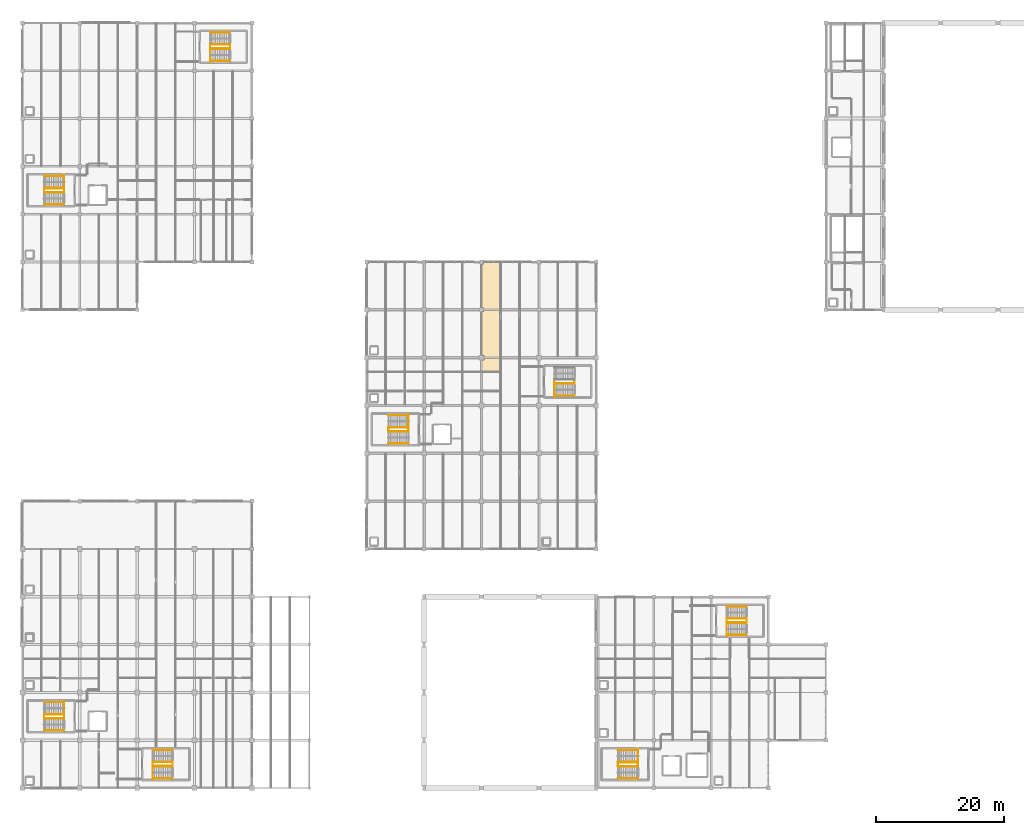
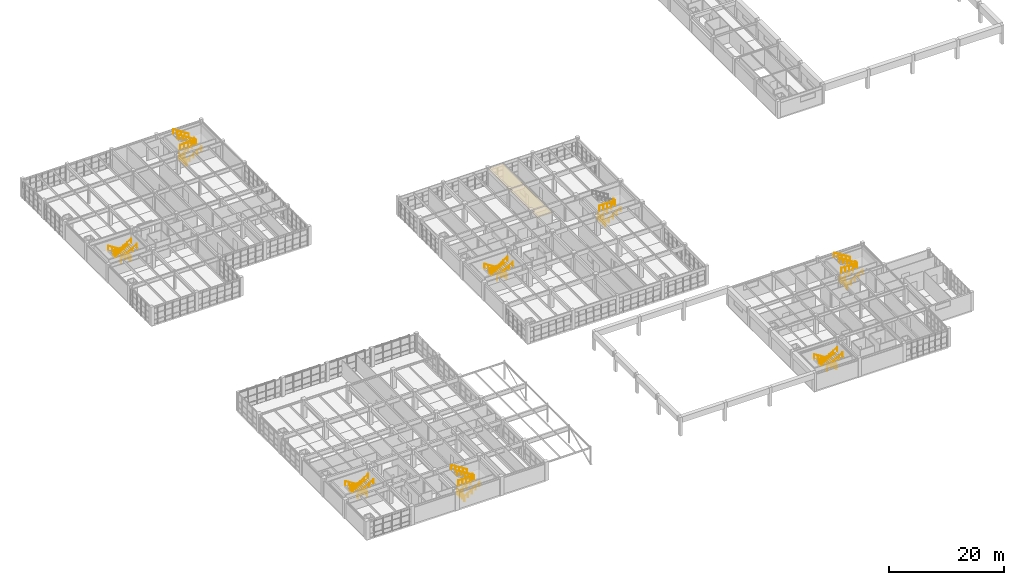
# One storey, part 75 of 76: 46 railings, 1 covering.
"""IFC4 building model written with IfcOpenShell, lengths in metres."""

import ifcopenshell
import ifcopenshell.guid

model = None  # the IFC model being written
_history = None  # IfcOwnerHistory: only IFC2X3 demands one
_inside = {}  # id of a spatial element -> (the spatial element, [elements in it])
_under = {}  # id of a project, library or spatial element -> (it, [spatial elements below it])
_declared = {}  # id of a project -> (the project, [libraries it declares])
_typed = {}  # id of a type object -> (the type object, [elements of that type])
_made_of = {}  # id of a material, layer set ... -> (it, [elements and type objects made of it])


def new_model(schema):
    """Start an empty IFC model of exactly this schema.

    Asked for "IFC4X3", IfcOpenShell would pick the latest addendum, in which some entities
    have other attributes; the version numbers below select the first issue.
    IFC2X3 requires an IfcOwnerHistory on every rooted entity: one is made here for all.
    """
    global model, _history
    if schema == "IFC4X3":
        model = ifcopenshell.file(schema_version=(4, 3, 0, 0))
    else:
        model = ifcopenshell.file(schema=schema)
    _inside.clear()
    _under.clear()
    _declared.clear()
    _typed.clear()
    _made_of.clear()
    _history = None
    if model.schema == "IFC2X3":
        org = make("IfcOrganization", Name="unknown")
        user = make(
            "IfcPersonAndOrganization",
            ThePerson=make("IfcPerson", FamilyName="unknown"),
            TheOrganization=org,
        )
        app = make(
            "IfcApplication",
            ApplicationDeveloper=org,
            Version="unknown",
            ApplicationFullName="unknown",
            ApplicationIdentifier="unknown",
        )
        _history = make(
            "IfcOwnerHistory",
            OwningUser=user,
            OwningApplication=app,
            ChangeAction="ADDED",
            CreationDate=0,
        )
    return model


def make(cls, **values):
    """One entity of the class cls with the attributes given. An attribute that is None is left unset."""
    return model.create_entity(
        cls, **{name: value for name, value in values.items() if value is not None}
    )


def rooted(cls, **values):
    """An entity with a GlobalId (a new one), such as an element, a storey or a relation."""
    return make(cls, GlobalId=ifcopenshell.guid.new(), OwnerHistory=_history, **values)


def si_unit(unit_type, name, prefix=None):
    """IfcSIUnit, for example si_unit("LENGTHUNIT", "METRE", prefix="MILLI")."""
    return make("IfcSIUnit", UnitType=unit_type, Prefix=prefix, Name=name)


def assignment(units):
    """IfcUnitAssignment: the units of a project."""
    return None if units is None else make("IfcUnitAssignment", Units=units)


def point(xyz):
    """IfcCartesianPoint."""
    return None if xyz is None else make("IfcCartesianPoint", Coordinates=xyz)


def direction(xyz):
    """IfcDirection."""
    return None if xyz is None else make("IfcDirection", DirectionRatios=xyz)


def frame(location, z_axis=None, x_axis=None):
    """IfcAxis2Placement3D, a coordinate frame: its origin and axes. An axis left out is left unset."""
    return make(
        "IfcAxis2Placement3D",
        Location=point(location),
        Axis=direction(z_axis),
        RefDirection=direction(x_axis),
    )


def frame_2d(location, x_axis=None):
    """IfcAxis2Placement2D, a coordinate frame in the plane: its origin and x axis."""
    return make(
        "IfcAxis2Placement2D", Location=point(location), RefDirection=direction(x_axis)
    )


def origin():
    """The frame at (0, 0, 0) with its axes left unset."""
    return frame((0.0, 0.0, 0.0))


def origin_2d():
    """The frame at (0, 0) in the plane with its x axis left unset."""
    return frame_2d((0.0, 0.0))


def place(relative_to, where):
    """IfcLocalPlacement: puts the frame where relative to a parent placement (None: the world)."""
    return make(
        "IfcLocalPlacement", PlacementRelTo=relative_to, RelativePlacement=where
    )


def context(
    kind, dimensions, precision=None, world=None, true_north=None, identifier=None
):
    """IfcGeometricRepresentationContext, for example the 3D "Model" context."""
    return make(
        "IfcGeometricRepresentationContext",
        ContextIdentifier=identifier,
        ContextType=kind,
        CoordinateSpaceDimension=dimensions,
        Precision=precision,
        WorldCoordinateSystem=world,
        TrueNorth=true_north,
    )


def subcontext(parent, identifier, kind, view, scale=None):
    """IfcGeometricRepresentationSubContext, for example "Body" below "Model"."""
    return make(
        "IfcGeometricRepresentationSubContext",
        ContextIdentifier=identifier,
        ContextType=kind,
        ParentContext=parent,
        TargetScale=scale,
        TargetView=view,
    )


def project(units=None, contexts=None):
    """IfcProject with its units and contexts."""
    return rooted(
        "IfcProject",
        Name="project",
        RepresentationContexts=contexts,
        UnitsInContext=assignment(units),
    )


def spatial(cls, under=None, at=None, **own):
    """A site, building, storey or space (cls), placed at a placement, below another one or the project."""
    s = rooted(cls, ObjectPlacement=at, **own)
    if under is not None:
        _under.setdefault(under.id(), (under, []))[1].append(s)
    return s


def polyline(points):
    """IfcPolyline through the points."""
    return make("IfcPolyline", Points=[point(p) for p in points])


def profile(cls, at=None, kind="AREA", **sizes):
    """A parametric profile (cls). Its sizes go by their IFC names, for example OverallWidth=200.0."""
    return make(cls, ProfileType=kind, Position=at, **sizes)


def circle(**sizes):
    """IfcCircleProfileDef."""
    return profile("IfcCircleProfileDef", **sizes)


def outline(outer, holes=None, kind="AREA"):
    """IfcArbitraryClosedProfileDef: a profile drawn as a closed curve; with holes, ...WithVoids."""
    if holes is None:
        return make("IfcArbitraryClosedProfileDef", ProfileType=kind, OuterCurve=outer)
    return make(
        "IfcArbitraryProfileDefWithVoids",
        ProfileType=kind,
        OuterCurve=outer,
        InnerCurves=holes,
    )


def extrude(swept, where, along, depth):
    """IfcExtrudedAreaSolid: the profile swept, set in the frame where, extruded along a direction by depth."""
    return make(
        "IfcExtrudedAreaSolid",
        SweptArea=swept,
        Position=where,
        ExtrudedDirection=direction(along),
        Depth=depth,
    )


def shape(context_of_items, identifier, shape_type, items):
    """IfcShapeRepresentation: the items that make up one representation, for example the "Body"."""
    return make(
        "IfcShapeRepresentation",
        ContextOfItems=context_of_items,
        RepresentationIdentifier=identifier,
        RepresentationType=shape_type,
        Items=items,
    )


def material(Name=None, Category=None):
    """IfcMaterial."""
    return make("IfcMaterial", Name=Name, Category=Category)


def layer(
    of_material, thickness, ventilated=None, Name=None, Category=None, Priority=None
):
    """IfcMaterialLayer: one layer of a wall or slab, of a material (None: an air gap)."""
    return make(
        "IfcMaterialLayer",
        Material=of_material,
        LayerThickness=thickness,
        IsVentilated=ventilated,
        Name=Name,
        Category=Category,
        Priority=Priority,
    )


def layer_set(layers, Name=None):
    """IfcMaterialLayerSet."""
    return make("IfcMaterialLayerSet", MaterialLayers=layers, LayerSetName=Name)


def made_of(thing, what):
    """Note that an element or type object is made of a material, layer set ...; save() writes the relation."""
    if what is not None:
        _made_of.setdefault(what.id(), (what, []))[1].append(thing)
    return thing


def type_object(cls, material=None, **own):
    """A type object (cls), such as IfcWallType, which elements share."""
    return made_of(rooted(cls, **own), material)


def element(
    cls,
    number,
    at=None,
    inside=None,
    cuts=None,
    type_object=None,
    material=None,
    context=None,
    identifier="Body",
    shape_type=None,
    held_by="IfcProductDefinitionShape",
    body=None,
    shapes=None,
    **own,
):
    """One element of the class cls, such as IfcWall. Its Tag is "e" and its number.

    at: its placement. inside: the storey or other place that contains it. cuts: it is an
    opening in that element (IfcRelVoidsElement). A single representation is given by context,
    identifier, shape_type and body (its items); several are given by shapes. held_by: the class
    of the entity that holds the representations. save() writes the other relations.
    """
    e = rooted(cls, Tag="e%d" % number, ObjectPlacement=at, **own)
    if body is not None:
        shapes = [shape(context, identifier, shape_type, body)]
    if shapes is not None:
        e.Representation = make(held_by, Representations=shapes)
    if inside is not None:
        _inside.setdefault(inside.id(), (inside, []))[1].append(e)
    if cuts is not None:
        rooted(
            "IfcRelVoidsElement", RelatingBuildingElement=cuts, RelatedOpeningElement=e
        )
    if type_object is not None:
        _typed.setdefault(type_object.id(), (type_object, []))[1].append(e)
    return made_of(e, material)


def aggregate(whole, parts):
    """IfcRelAggregates: a whole, such as a stair, and the parts it consists of."""
    return rooted("IfcRelAggregates", RelatingObject=whole, RelatedObjects=parts)


def save(model, path):
    """Write the relations noted so far, then the file.

    IfcRelAggregates (storeys below a building ...), IfcRelContainedInSpatialStructure (elements
    in a storey), IfcRelDefinesByType, IfcRelAssociatesMaterial and IfcRelDeclares: one each for
    every whole, place, type object, material and project.
    """
    for whole, parts in _under.values():
        aggregate(whole, parts)
    for where, things in _inside.values():
        rooted(
            "IfcRelContainedInSpatialStructure",
            RelatedElements=things,
            RelatingStructure=where,
        )
    for kind, things in _typed.values():
        rooted("IfcRelDefinesByType", RelatedObjects=things, RelatingType=kind)
    for what, things in _made_of.values():
        rooted("IfcRelAssociatesMaterial", RelatedObjects=things, RelatingMaterial=what)
    for by, libraries in _declared.values():
        rooted("IfcRelDeclares", RelatingContext=by, RelatedDefinitions=libraries)
    model.write(path)


model = new_model("IFC4")

# Units and contexts
model_context = context("Model", 3, precision=1e-05, world=origin(), true_north=direction((0.0, 1.0)))
body_context = subcontext(model_context, "Body", "Model", "MODEL_VIEW")
ifc_project = project(units=[si_unit("LENGTHUNIT", "METRE"), si_unit("AREAUNIT", "SQUARE_METRE"), si_unit("VOLUMEUNIT", "CUBIC_METRE"), si_unit("PLANEANGLEUNIT", "RADIAN"), si_unit("MASSUNIT", "GRAM", prefix="KILO")], contexts=[model_context])

# Site, building, storey
site_placement = place(None, origin())
site = spatial("IfcSite", under=ifc_project, at=site_placement, CompositionType="ELEMENT")
building_placement = place(site_placement, origin())
building = spatial("IfcBuilding", under=site, at=building_placement, Name="Marnridge Secondary College", CompositionType="ELEMENT")
storey_placement = place(building_placement, frame((0.0, 0.0, 4.5)))
storey = spatial("IfcBuildingStorey", under=building, at=storey_placement, Name="L01", CompositionType="ELEMENT", Elevation=4.5)

# Covering
ifc_material_1 = material(Name="Perforated acoustic mineral-fibre ceiling tile", Category="gypsum")
ifc_layer = layer(ifc_material_1, 0.02490234375)
ifc_layer_set = layer_set([ifc_layer], Name="CV-CEIL-AC")
covering_type = type_object("IfcCoveringType", Name="CV-CEIL-AC", PredefinedType="CEILING", material=ifc_layer_set)
covering_placement = place(storey_placement, frame((0.0, 0.0, 3.449951171875)))
element("IfcCovering", 1, at=covering_placement, inside=storey, type_object=covering_type, Name="Acoustic ceiling CVC-002", PredefinedType="CEILING", context=body_context, shape_type="SweptSolid", body=[
    extrude(outline(polyline([(72.375, 67.125), (72.375, 67.875), (72.001953125, 67.875), (72.001953125, 74.699951171875), (72.300048828125, 74.699951171875), (72.300048828125, 75.300048828125), (72.001953125, 75.300048828125), (72.001953125, 82.199951171875), (72.300048828125, 82.199951171875), (72.300048828125, 82.498046875), (74.998046875, 82.498046875), (74.998046875, 65.251953125), (72.001953125, 65.251953125), (72.001953125, 67.125), (72.375, 67.125)])), origin(), (0.0, 0.0, 1.0), 0.025146484375),
])

# Railings
ifc_material_2 = material(Name="Stainless steel Grade 350 (350 MPa) 48 mm handrail", Category="steel")
railing_type_1 = type_object("IfcRailingType", Name="RL-HND-900", PredefinedType="HANDRAIL", material=ifc_material_2)
for number, where, name in (
    (2, (60.550048828125, 56.590087890625, 0.0), "Stair handrail HR-007"),
    (3, (60.550048828125, 58.469970703125, 0.0), "Stair handrail HR-008"),
):
    element("IfcRailing", number, at=place(storey_placement, frame(where)), inside=storey, type_object=railing_type_1, Name=name, PredefinedType="HANDRAIL", context=body_context, shape_type="SweptSolid", body=[
        extrude(circle(Radius=0.02392578125, at=origin_2d()), frame((0.0, 0.0, 0.8759765625), z_axis=(-0.843052688722, 0.0, 0.537830980921), x_axis=(0.0, -1.0, 0.0)), (0.0, 0.0, 1.0), 3.71875),
        extrude(circle(Radius=0.02099609375, at=origin_2d()), origin(), (0.0, 0.0, 1.0), 0.851806640625),
        extrude(circle(Radius=0.02099609375, at=origin_2d()), frame((-0.78369140625, 0.0, 0.5)), (0.0, 0.0, 1.0), 0.851806640625),
        extrude(circle(Radius=0.02099609375, at=origin_2d()), frame((-1.5673828125, 0.0, 1.0)), (0.0, 0.0, 1.0), 0.851806640625),
        extrude(circle(Radius=0.02099609375, at=origin_2d()), frame((-2.351318359375, 0.0, 1.5)), (0.0, 0.0, 1.0), 0.851806640625),
        extrude(circle(Radius=0.02099609375, at=origin_2d()), frame((-3.135009765625, 0.0, 2.0)), (0.0, 0.0, 1.0), 0.851806640625),
    ])
for number, where, name in (
    (4, (57.4150390625, 54.030029296875, 2.0), "Stair handrail HR-009"),
    (5, (57.4150390625, 55.909912109375, 2.0), "Stair handrail HR-010"),
    (6, (83.449951171875, 61.530029296875, 0.0), "Stair handrail HR-037"),
    (7, (83.449951171875, 63.409912109375, 0.0), "Stair handrail HR-038"),
):
    element("IfcRailing", number, at=place(storey_placement, frame(where)), inside=storey, type_object=railing_type_1, Name=name, PredefinedType="HANDRAIL", context=body_context, shape_type="SweptSolid", body=[
        extrude(circle(Radius=0.02392578125, at=origin_2d()), frame((0.0, 0.0, 0.8759765625), z_axis=(0.843052688722, 0.0, 0.537830980921), x_axis=(0.0, 1.0, 0.0)), (0.0, 0.0, 1.0), 3.71875),
        extrude(circle(Radius=0.02099609375, at=origin_2d()), origin(), (0.0, 0.0, 1.0), 0.851806640625),
        extrude(circle(Radius=0.02099609375, at=origin_2d()), frame((0.78369140625, 0.0, 0.5)), (0.0, 0.0, 1.0), 0.851806640625),
        extrude(circle(Radius=0.02099609375, at=origin_2d()), frame((1.5673828125, 0.0, 1.0)), (0.0, 0.0, 1.0), 0.851806640625),
        extrude(circle(Radius=0.02099609375, at=origin_2d()), frame((2.351318359375, 0.0, 1.5)), (0.0, 0.0, 1.0), 0.851806640625),
        extrude(circle(Radius=0.02099609375, at=origin_2d()), frame((3.135009765625, 0.0, 2.0)), (0.0, 0.0, 1.0), 0.851806640625),
    ])
for number, where, name in (
    (8, (6.550048828125, 11.590087890625, 0.0), "Stair handrail HR-067"),
    (9, (6.550048828125, 13.469970703125, 0.0), "Stair handrail HR-068"),
):
    element("IfcRailing", number, at=place(storey_placement, frame(where)), inside=storey, type_object=railing_type_1, Name=name, PredefinedType="HANDRAIL", context=body_context, shape_type="SweptSolid", body=[
        extrude(circle(Radius=0.02392578125, at=origin_2d()), frame((0.0, 0.0, 0.8759765625), z_axis=(-0.843052688722, 0.0, 0.537830980921), x_axis=(0.0, -1.0, 0.0)), (0.0, 0.0, 1.0), 3.71875),
        extrude(circle(Radius=0.02099609375, at=origin_2d()), origin(), (0.0, 0.0, 1.0), 0.851806640625),
        extrude(circle(Radius=0.02099609375, at=origin_2d()), frame((-0.78369140625, 0.0, 0.5)), (0.0, 0.0, 1.0), 0.851806640625),
        extrude(circle(Radius=0.02099609375, at=origin_2d()), frame((-1.5673828125, 0.0, 1.0)), (0.0, 0.0, 1.0), 0.851806640625),
        extrude(circle(Radius=0.02099609375, at=origin_2d()), frame((-2.351318359375, 0.0, 1.5)), (0.0, 0.0, 1.0), 0.851806640625),
        extrude(circle(Radius=0.02099609375, at=origin_2d()), frame((-3.135009765625, 0.0, 2.0)), (0.0, 0.0, 1.0), 0.851806640625),
    ])
for number, where, name in (
    (10, (3.4150390625, 9.030029296875, 2.0), "Stair handrail HR-069"),
    (11, (3.4150390625, 10.909912109375, 2.0), "Stair handrail HR-070"),
    (12, (20.449951171875, 1.530029296875, 0.0), "Stair handrail HR-091"),
    (13, (20.449951171875, 3.409912109375, 0.0), "Stair handrail HR-092"),
):
    element("IfcRailing", number, at=place(storey_placement, frame(where)), inside=storey, type_object=railing_type_1, Name=name, PredefinedType="HANDRAIL", context=body_context, shape_type="SweptSolid", body=[
        extrude(circle(Radius=0.02392578125, at=origin_2d()), frame((0.0, 0.0, 0.8759765625), z_axis=(0.843052688722, 0.0, 0.537830980921), x_axis=(0.0, 1.0, 0.0)), (0.0, 0.0, 1.0), 3.71875),
        extrude(circle(Radius=0.02099609375, at=origin_2d()), origin(), (0.0, 0.0, 1.0), 0.851806640625),
        extrude(circle(Radius=0.02099609375, at=origin_2d()), frame((0.78369140625, 0.0, 0.5)), (0.0, 0.0, 1.0), 0.851806640625),
        extrude(circle(Radius=0.02099609375, at=origin_2d()), frame((1.5673828125, 0.0, 1.0)), (0.0, 0.0, 1.0), 0.851806640625),
        extrude(circle(Radius=0.02099609375, at=origin_2d()), frame((2.351318359375, 0.0, 1.5)), (0.0, 0.0, 1.0), 0.851806640625),
        extrude(circle(Radius=0.02099609375, at=origin_2d()), frame((3.135009765625, 0.0, 2.0)), (0.0, 0.0, 1.0), 0.851806640625),
    ])
for number, where, name in (
    (14, (23.5849609375, 4.090087890625, 2.0), "Stair handrail HR-093"),
    (15, (23.5849609375, 5.969970703125, 2.0), "Stair handrail HR-094"),
    (16, (6.550048828125, 94.090087890625, 0.0), "Stair handrail HR-115"),
    (17, (6.550048828125, 95.969970703125, 0.0), "Stair handrail HR-116"),
):
    element("IfcRailing", number, at=place(storey_placement, frame(where)), inside=storey, type_object=railing_type_1, Name=name, PredefinedType="HANDRAIL", context=body_context, shape_type="SweptSolid", body=[
        extrude(circle(Radius=0.02392578125, at=origin_2d()), frame((0.0, 0.0, 0.8759765625), z_axis=(-0.843052688722, 0.0, 0.537830980921), x_axis=(0.0, -1.0, 0.0)), (0.0, 0.0, 1.0), 3.71875),
        extrude(circle(Radius=0.02099609375, at=origin_2d()), origin(), (0.0, 0.0, 1.0), 0.851806640625),
        extrude(circle(Radius=0.02099609375, at=origin_2d()), frame((-0.78369140625, 0.0, 0.5)), (0.0, 0.0, 1.0), 0.851806640625),
        extrude(circle(Radius=0.02099609375, at=origin_2d()), frame((-1.5673828125, 0.0, 1.0)), (0.0, 0.0, 1.0), 0.851806640625),
        extrude(circle(Radius=0.02099609375, at=origin_2d()), frame((-2.351318359375, 0.0, 1.5)), (0.0, 0.0, 1.0), 0.851806640625),
        extrude(circle(Radius=0.02099609375, at=origin_2d()), frame((-3.135009765625, 0.0, 2.0)), (0.0, 0.0, 1.0), 0.851806640625),
    ])
for number, where, name in (
    (18, (3.4150390625, 91.530029296875, 2.0), "Stair handrail HR-117"),
    (19, (3.4150390625, 93.409912109375, 2.0), "Stair handrail HR-118"),
    (20, (29.449951171875, 114.030029296875, 0.0), "Stair handrail HR-133"),
    (21, (29.449951171875, 115.909912109375, 0.0), "Stair handrail HR-134"),
):
    element("IfcRailing", number, at=place(storey_placement, frame(where)), inside=storey, type_object=railing_type_1, Name=name, PredefinedType="HANDRAIL", context=body_context, shape_type="SweptSolid", body=[
        extrude(circle(Radius=0.02392578125, at=origin_2d()), frame((0.0, 0.0, 0.8759765625), z_axis=(0.843052688722, 0.0, 0.537830980921), x_axis=(0.0, 1.0, 0.0)), (0.0, 0.0, 1.0), 3.71875),
        extrude(circle(Radius=0.02099609375, at=origin_2d()), origin(), (0.0, 0.0, 1.0), 0.851806640625),
        extrude(circle(Radius=0.02099609375, at=origin_2d()), frame((0.78369140625, 0.0, 0.5)), (0.0, 0.0, 1.0), 0.851806640625),
        extrude(circle(Radius=0.02099609375, at=origin_2d()), frame((1.5673828125, 0.0, 1.0)), (0.0, 0.0, 1.0), 0.851806640625),
        extrude(circle(Radius=0.02099609375, at=origin_2d()), frame((2.351318359375, 0.0, 1.5)), (0.0, 0.0, 1.0), 0.851806640625),
        extrude(circle(Radius=0.02099609375, at=origin_2d()), frame((3.135009765625, 0.0, 2.0)), (0.0, 0.0, 1.0), 0.851806640625),
    ])
for number, where, name in (
    (22, (32.5849609375, 116.590087890625, 2.0), "Stair handrail HR-135"),
    (23, (32.5849609375, 118.469970703125, 2.0), "Stair handrail HR-136"),
    (24, (96.550048828125, 4.090087890625, 0.0), "Stair handrail HR-151"),
    (25, (96.550048828125, 5.969970703125, 0.0), "Stair handrail HR-152"),
):
    element("IfcRailing", number, at=place(storey_placement, frame(where)), inside=storey, type_object=railing_type_1, Name=name, PredefinedType="HANDRAIL", context=body_context, shape_type="SweptSolid", body=[
        extrude(circle(Radius=0.02392578125, at=origin_2d()), frame((0.0, 0.0, 0.8759765625), z_axis=(-0.843052688722, 0.0, 0.537830980921), x_axis=(0.0, -1.0, 0.0)), (0.0, 0.0, 1.0), 3.71875),
        extrude(circle(Radius=0.02099609375, at=origin_2d()), origin(), (0.0, 0.0, 1.0), 0.851806640625),
        extrude(circle(Radius=0.02099609375, at=origin_2d()), frame((-0.78369140625, 0.0, 0.5)), (0.0, 0.0, 1.0), 0.851806640625),
        extrude(circle(Radius=0.02099609375, at=origin_2d()), frame((-1.5673828125, 0.0, 1.0)), (0.0, 0.0, 1.0), 0.851806640625),
        extrude(circle(Radius=0.02099609375, at=origin_2d()), frame((-2.351318359375, 0.0, 1.5)), (0.0, 0.0, 1.0), 0.851806640625),
        extrude(circle(Radius=0.02099609375, at=origin_2d()), frame((-3.135009765625, 0.0, 2.0)), (0.0, 0.0, 1.0), 0.851806640625),
    ])
for number, where, name in (
    (26, (93.4150390625, 1.530029296875, 2.0), "Stair handrail HR-153"),
    (27, (93.4150390625, 3.409912109375, 2.0), "Stair handrail HR-154"),
    (28, (110.449951171875, 24.030029296875, 0.0), "Stair handrail HR-163"),
    (29, (110.449951171875, 25.909912109375, 0.0), "Stair handrail HR-164"),
):
    element("IfcRailing", number, at=place(storey_placement, frame(where)), inside=storey, type_object=railing_type_1, Name=name, PredefinedType="HANDRAIL", context=body_context, shape_type="SweptSolid", body=[
        extrude(circle(Radius=0.02392578125, at=origin_2d()), frame((0.0, 0.0, 0.8759765625), z_axis=(0.843052688722, 0.0, 0.537830980921), x_axis=(0.0, 1.0, 0.0)), (0.0, 0.0, 1.0), 3.71875),
        extrude(circle(Radius=0.02099609375, at=origin_2d()), origin(), (0.0, 0.0, 1.0), 0.851806640625),
        extrude(circle(Radius=0.02099609375, at=origin_2d()), frame((0.78369140625, 0.0, 0.5)), (0.0, 0.0, 1.0), 0.851806640625),
        extrude(circle(Radius=0.02099609375, at=origin_2d()), frame((1.5673828125, 0.0, 1.0)), (0.0, 0.0, 1.0), 0.851806640625),
        extrude(circle(Radius=0.02099609375, at=origin_2d()), frame((2.351318359375, 0.0, 1.5)), (0.0, 0.0, 1.0), 0.851806640625),
        extrude(circle(Radius=0.02099609375, at=origin_2d()), frame((3.135009765625, 0.0, 2.0)), (0.0, 0.0, 1.0), 0.851806640625),
    ])
for number, where, name in (
    (30, (113.5849609375, 26.590087890625, 2.0), "Stair handrail HR-165"),
    (31, (113.5849609375, 28.469970703125, 2.0), "Stair handrail HR-166"),
):
    element("IfcRailing", number, at=place(storey_placement, frame(where)), inside=storey, type_object=railing_type_1, Name=name, PredefinedType="HANDRAIL", context=body_context, shape_type="SweptSolid", body=[
        extrude(circle(Radius=0.02392578125, at=origin_2d()), frame((0.0, 0.0, 0.8759765625), z_axis=(-0.843052688722, 0.0, 0.537830980921), x_axis=(0.0, -1.0, 0.0)), (0.0, 0.0, 1.0), 3.71875),
        extrude(circle(Radius=0.02099609375, at=origin_2d()), origin(), (0.0, 0.0, 1.0), 0.851806640625),
        extrude(circle(Radius=0.02099609375, at=origin_2d()), frame((-0.78369140625, 0.0, 0.5)), (0.0, 0.0, 1.0), 0.851806640625),
        extrude(circle(Radius=0.02099609375, at=origin_2d()), frame((-1.5673828125, 0.0, 1.0)), (0.0, 0.0, 1.0), 0.851806640625),
        extrude(circle(Radius=0.02099609375, at=origin_2d()), frame((-2.351318359375, 0.0, 1.5)), (0.0, 0.0, 1.0), 0.851806640625),
        extrude(circle(Radius=0.02099609375, at=origin_2d()), frame((-3.135009765625, 0.0, 2.0)), (0.0, 0.0, 1.0), 0.851806640625),
    ])
ifc_material_3 = material(Name="Painted steel Grade C350L0 (350 MPa) stair-well guard", Category="steel")
railing_type_2 = type_object("IfcRailingType", Name="RL-STAIR-1150", PredefinedType="BALUSTRADE", material=ifc_material_3)
railing_1_placement = place(storey_placement, frame((60.550048828125, 58.6298828125, 0.0)))
element("IfcRailing", 32, at=railing_1_placement, inside=storey, type_object=railing_type_2, Name="Stair well arrival guard GS-006", PredefinedType="BALUSTRADE", context=body_context, shape_type="SweptSolid", body=[
    extrude(circle(Radius=0.02392578125, at=origin_2d()), frame((0.0, 0.0, 1.1259765625), z_axis=(0.0, -1.0, 0.0), x_axis=(1.0, 0.0, 0.0)), (0.0, 0.0, 1.0), 2.4599609375),
    extrude(circle(Radius=0.02099609375, at=origin_2d()), origin(), (0.0, 0.0, 1.0), 1.101806640625),
    extrude(circle(Radius=0.02099609375, at=origin_2d()), frame((0.0, -0.820068359375, 0.0)), (0.0, 0.0, 1.0), 1.101806640625),
    extrude(circle(Radius=0.02099609375, at=origin_2d()), frame((0.0, -1.639892578125, 0.0)), (0.0, 0.0, 1.0), 1.101806640625),
    extrude(circle(Radius=0.02099609375, at=origin_2d()), frame((0.0, -2.4599609375, 0.0)), (0.0, 0.0, 1.0), 1.101806640625),
])
railing_2_placement = place(storey_placement, frame((60.550048828125, 56.530029296875, 2.0)))
element("IfcRailing", 33, at=railing_2_placement, inside=storey, type_object=railing_type_2, Name="Stair well slot guard GS-011", PredefinedType="BALUSTRADE", context=body_context, shape_type="SweptSolid", body=[
    extrude(circle(Radius=0.02392578125, at=origin_2d()), frame((0.0, 0.0, 1.1259765625), z_axis=(-1.0, 0.0, 0.0), x_axis=(0.0, -1.0, 0.0)), (0.0, 0.0, 1.0), 3.135009765625),
    extrude(circle(Radius=0.02392578125, at=origin_2d()), frame((-3.135009765625, 0.0, 1.1259765625), z_axis=(0.0, -1.0, 0.0), x_axis=(1.0, 0.0, 0.0)), (0.0, 0.0, 1.0), 0.56005859375),
    extrude(circle(Radius=0.02099609375, at=origin_2d()), origin(), (0.0, 0.0, 1.0), 1.101806640625),
    extrude(circle(Radius=0.02099609375, at=origin_2d()), frame((-0.78369140625, 0.0, 0.0)), (0.0, 0.0, 1.0), 1.101806640625),
    extrude(circle(Radius=0.02099609375, at=origin_2d()), frame((-1.5673828125, 0.0, 0.0)), (0.0, 0.0, 1.0), 1.101806640625),
    extrude(circle(Radius=0.02099609375, at=origin_2d()), frame((-2.351318359375, 0.0, 0.0)), (0.0, 0.0, 1.0), 1.101806640625),
    extrude(circle(Radius=0.02099609375, at=origin_2d()), frame((-3.135009765625, 0.0, 0.0)), (0.0, 0.0, 1.0), 1.101806640625),
    extrude(circle(Radius=0.02099609375, at=origin_2d()), frame((-3.135009765625, -0.56005859375, 0.0)), (0.0, 0.0, 1.0), 1.101806640625),
])
railing_3_placement = place(storey_placement, frame((83.449951171875, 61.3701171875, 0.0)))
element("IfcRailing", 34, at=railing_3_placement, inside=storey, type_object=railing_type_2, Name="Stair well arrival guard GS-036", PredefinedType="BALUSTRADE", context=body_context, shape_type="SweptSolid", body=[
    extrude(circle(Radius=0.02392578125, at=origin_2d()), frame((0.0, 0.0, 1.1259765625), z_axis=(0.0, 1.0, 0.0), x_axis=(-1.0, 0.0, 0.0)), (0.0, 0.0, 1.0), 2.4599609375),
    extrude(circle(Radius=0.02099609375, at=origin_2d()), origin(), (0.0, 0.0, 1.0), 1.101806640625),
    extrude(circle(Radius=0.02099609375, at=origin_2d()), frame((0.0, 0.820068359375, 0.0)), (0.0, 0.0, 1.0), 1.101806640625),
    extrude(circle(Radius=0.02099609375, at=origin_2d()), frame((0.0, 1.639892578125, 0.0)), (0.0, 0.0, 1.0), 1.101806640625),
    extrude(circle(Radius=0.02099609375, at=origin_2d()), frame((0.0, 2.4599609375, 0.0)), (0.0, 0.0, 1.0), 1.101806640625),
])
railing_4_placement = place(storey_placement, frame((83.449951171875, 63.469970703125, 2.0)))
element("IfcRailing", 35, at=railing_4_placement, inside=storey, type_object=railing_type_2, Name="Stair well slot guard GS-041", PredefinedType="BALUSTRADE", context=body_context, shape_type="SweptSolid", body=[
    extrude(circle(Radius=0.02392578125, at=origin_2d()), frame((0.0, 0.0, 1.1259765625), z_axis=(1.0, 0.0, 0.0), x_axis=(0.0, 1.0, 0.0)), (0.0, 0.0, 1.0), 3.135009765625),
    extrude(circle(Radius=0.02392578125, at=origin_2d()), frame((3.135009765625, 0.0, 1.1259765625), z_axis=(0.0, 1.0, 0.0), x_axis=(-1.0, 0.0, 0.0)), (0.0, 0.0, 1.0), 0.56005859375),
    extrude(circle(Radius=0.02099609375, at=origin_2d()), origin(), (0.0, 0.0, 1.0), 1.101806640625),
    extrude(circle(Radius=0.02099609375, at=origin_2d()), frame((0.78369140625, 0.0, 0.0)), (0.0, 0.0, 1.0), 1.101806640625),
    extrude(circle(Radius=0.02099609375, at=origin_2d()), frame((1.5673828125, 0.0, 0.0)), (0.0, 0.0, 1.0), 1.101806640625),
    extrude(circle(Radius=0.02099609375, at=origin_2d()), frame((2.351318359375, 0.0, 0.0)), (0.0, 0.0, 1.0), 1.101806640625),
    extrude(circle(Radius=0.02099609375, at=origin_2d()), frame((3.135009765625, 0.0, 0.0)), (0.0, 0.0, 1.0), 1.101806640625),
    extrude(circle(Radius=0.02099609375, at=origin_2d()), frame((3.135009765625, 0.56005859375, 0.0)), (0.0, 0.0, 1.0), 1.101806640625),
])
railing_5_placement = place(storey_placement, frame((6.550048828125, 13.6298828125, 0.0)))
element("IfcRailing", 36, at=railing_5_placement, inside=storey, type_object=railing_type_2, Name="Stair well arrival guard GS-066", PredefinedType="BALUSTRADE", context=body_context, shape_type="SweptSolid", body=[
    extrude(circle(Radius=0.02392578125, at=origin_2d()), frame((0.0, 0.0, 1.1259765625), z_axis=(0.0, -1.0, 0.0), x_axis=(1.0, 0.0, 0.0)), (0.0, 0.0, 1.0), 2.4599609375),
    extrude(circle(Radius=0.02099609375, at=origin_2d()), origin(), (0.0, 0.0, 1.0), 1.101806640625),
    extrude(circle(Radius=0.02099609375, at=origin_2d()), frame((0.0, -0.820068359375, 0.0)), (0.0, 0.0, 1.0), 1.101806640625),
    extrude(circle(Radius=0.02099609375, at=origin_2d()), frame((0.0, -1.639892578125, 0.0)), (0.0, 0.0, 1.0), 1.101806640625),
    extrude(circle(Radius=0.02099609375, at=origin_2d()), frame((0.0, -2.4599609375, 0.0)), (0.0, 0.0, 1.0), 1.101806640625),
])
railing_6_placement = place(storey_placement, frame((6.550048828125, 11.530029296875, 2.0)))
element("IfcRailing", 37, at=railing_6_placement, inside=storey, type_object=railing_type_2, Name="Stair well slot guard GS-071", PredefinedType="BALUSTRADE", context=body_context, shape_type="SweptSolid", body=[
    extrude(circle(Radius=0.02392578125, at=origin_2d()), frame((0.0, 0.0, 1.1259765625), z_axis=(-1.0, 0.0, 0.0), x_axis=(0.0, -1.0, 0.0)), (0.0, 0.0, 1.0), 3.135009765625),
    extrude(circle(Radius=0.02392578125, at=origin_2d()), frame((-3.135009765625, 0.0, 1.1259765625), z_axis=(0.0, -1.0, 0.0), x_axis=(1.0, 0.0, 0.0)), (0.0, 0.0, 1.0), 0.56005859375),
    extrude(circle(Radius=0.02099609375, at=origin_2d()), origin(), (0.0, 0.0, 1.0), 1.101806640625),
    extrude(circle(Radius=0.02099609375, at=origin_2d()), frame((-0.78369140625, 0.0, 0.0)), (0.0, 0.0, 1.0), 1.101806640625),
    extrude(circle(Radius=0.02099609375, at=origin_2d()), frame((-1.5673828125, 0.0, 0.0)), (0.0, 0.0, 1.0), 1.101806640625),
    extrude(circle(Radius=0.02099609375, at=origin_2d()), frame((-2.351318359375, 0.0, 0.0)), (0.0, 0.0, 1.0), 1.101806640625),
    extrude(circle(Radius=0.02099609375, at=origin_2d()), frame((-3.135009765625, 0.0, 0.0)), (0.0, 0.0, 1.0), 1.101806640625),
    extrude(circle(Radius=0.02099609375, at=origin_2d()), frame((-3.135009765625, -0.56005859375, 0.0)), (0.0, 0.0, 1.0), 1.101806640625),
])
railing_7_placement = place(storey_placement, frame((20.449951171875, 1.3701171875, 0.0)))
element("IfcRailing", 38, at=railing_7_placement, inside=storey, type_object=railing_type_2, Name="Stair well arrival guard GS-090", PredefinedType="BALUSTRADE", context=body_context, shape_type="SweptSolid", body=[
    extrude(circle(Radius=0.02392578125, at=origin_2d()), frame((0.0, 0.0, 1.1259765625), z_axis=(0.0, 1.0, 0.0), x_axis=(-1.0, 0.0, 0.0)), (0.0, 0.0, 1.0), 2.4599609375),
    extrude(circle(Radius=0.02099609375, at=origin_2d()), origin(), (0.0, 0.0, 1.0), 1.101806640625),
    extrude(circle(Radius=0.02099609375, at=origin_2d()), frame((0.0, 0.820068359375, 0.0)), (0.0, 0.0, 1.0), 1.101806640625),
    extrude(circle(Radius=0.02099609375, at=origin_2d()), frame((0.0, 1.639892578125, 0.0)), (0.0, 0.0, 1.0), 1.101806640625),
    extrude(circle(Radius=0.02099609375, at=origin_2d()), frame((0.0, 2.4599609375, 0.0)), (0.0, 0.0, 1.0), 1.101806640625),
])
railing_8_placement = place(storey_placement, frame((20.449951171875, 3.469970703125, 2.0)))
element("IfcRailing", 39, at=railing_8_placement, inside=storey, type_object=railing_type_2, Name="Stair well slot guard GS-095", PredefinedType="BALUSTRADE", context=body_context, shape_type="SweptSolid", body=[
    extrude(circle(Radius=0.02392578125, at=origin_2d()), frame((0.0, 0.0, 1.1259765625), z_axis=(1.0, 0.0, 0.0), x_axis=(0.0, 1.0, 0.0)), (0.0, 0.0, 1.0), 3.135009765625),
    extrude(circle(Radius=0.02392578125, at=origin_2d()), frame((3.135009765625, 0.0, 1.1259765625), z_axis=(0.0, 1.0, 0.0), x_axis=(-1.0, 0.0, 0.0)), (0.0, 0.0, 1.0), 0.56005859375),
    extrude(circle(Radius=0.02099609375, at=origin_2d()), origin(), (0.0, 0.0, 1.0), 1.101806640625),
    extrude(circle(Radius=0.02099609375, at=origin_2d()), frame((0.78369140625, 0.0, 0.0)), (0.0, 0.0, 1.0), 1.101806640625),
    extrude(circle(Radius=0.02099609375, at=origin_2d()), frame((1.5673828125, 0.0, 0.0)), (0.0, 0.0, 1.0), 1.101806640625),
    extrude(circle(Radius=0.02099609375, at=origin_2d()), frame((2.351318359375, 0.0, 0.0)), (0.0, 0.0, 1.0), 1.101806640625),
    extrude(circle(Radius=0.02099609375, at=origin_2d()), frame((3.135009765625, 0.0, 0.0)), (0.0, 0.0, 1.0), 1.101806640625),
    extrude(circle(Radius=0.02099609375, at=origin_2d()), frame((3.135009765625, 0.56005859375, 0.0)), (0.0, 0.0, 1.0), 1.101806640625),
])
railing_9_placement = place(storey_placement, frame((6.550048828125, 96.1298828125, 0.0)))
element("IfcRailing", 40, at=railing_9_placement, inside=storey, type_object=railing_type_2, Name="Stair well arrival guard GS-114", PredefinedType="BALUSTRADE", context=body_context, shape_type="SweptSolid", body=[
    extrude(circle(Radius=0.02392578125, at=origin_2d()), frame((0.0, 0.0, 1.1259765625), z_axis=(0.0, -1.0, 0.0), x_axis=(1.0, 0.0, 0.0)), (0.0, 0.0, 1.0), 2.4599609375),
    extrude(circle(Radius=0.02099609375, at=origin_2d()), origin(), (0.0, 0.0, 1.0), 1.101806640625),
    extrude(circle(Radius=0.02099609375, at=origin_2d()), frame((0.0, -0.820068359375, 0.0)), (0.0, 0.0, 1.0), 1.101806640625),
    extrude(circle(Radius=0.02099609375, at=origin_2d()), frame((0.0, -1.639892578125, 0.0)), (0.0, 0.0, 1.0), 1.101806640625),
    extrude(circle(Radius=0.02099609375, at=origin_2d()), frame((0.0, -2.4599609375, 0.0)), (0.0, 0.0, 1.0), 1.101806640625),
])
railing_10_placement = place(storey_placement, frame((6.550048828125, 94.030029296875, 2.0)))
element("IfcRailing", 41, at=railing_10_placement, inside=storey, type_object=railing_type_2, Name="Stair well slot guard GS-119", PredefinedType="BALUSTRADE", context=body_context, shape_type="SweptSolid", body=[
    extrude(circle(Radius=0.02392578125, at=origin_2d()), frame((0.0, 0.0, 1.1259765625), z_axis=(-1.0, 0.0, 0.0), x_axis=(0.0, -1.0, 0.0)), (0.0, 0.0, 1.0), 3.135009765625),
    extrude(circle(Radius=0.02392578125, at=origin_2d()), frame((-3.135009765625, 0.0, 1.1259765625), z_axis=(0.0, -1.0, 0.0), x_axis=(1.0, 0.0, 0.0)), (0.0, 0.0, 1.0), 0.56005859375),
    extrude(circle(Radius=0.02099609375, at=origin_2d()), origin(), (0.0, 0.0, 1.0), 1.101806640625),
    extrude(circle(Radius=0.02099609375, at=origin_2d()), frame((-0.78369140625, 0.0, 0.0)), (0.0, 0.0, 1.0), 1.101806640625),
    extrude(circle(Radius=0.02099609375, at=origin_2d()), frame((-1.5673828125, 0.0, 0.0)), (0.0, 0.0, 1.0), 1.101806640625),
    extrude(circle(Radius=0.02099609375, at=origin_2d()), frame((-2.351318359375, 0.0, 0.0)), (0.0, 0.0, 1.0), 1.101806640625),
    extrude(circle(Radius=0.02099609375, at=origin_2d()), frame((-3.135009765625, 0.0, 0.0)), (0.0, 0.0, 1.0), 1.101806640625),
    extrude(circle(Radius=0.02099609375, at=origin_2d()), frame((-3.135009765625, -0.56005859375, 0.0)), (0.0, 0.0, 1.0), 1.101806640625),
])
railing_11_placement = place(storey_placement, frame((29.449951171875, 113.8701171875, 0.0)))
element("IfcRailing", 42, at=railing_11_placement, inside=storey, type_object=railing_type_2, Name="Stair well arrival guard GS-132", PredefinedType="BALUSTRADE", context=body_context, shape_type="SweptSolid", body=[
    extrude(circle(Radius=0.02392578125, at=origin_2d()), frame((0.0, 0.0, 1.1259765625), z_axis=(0.0, 1.0, 0.0), x_axis=(-1.0, 0.0, 0.0)), (0.0, 0.0, 1.0), 2.4599609375),
    extrude(circle(Radius=0.02099609375, at=origin_2d()), origin(), (0.0, 0.0, 1.0), 1.101806640625),
    extrude(circle(Radius=0.02099609375, at=origin_2d()), frame((0.0, 0.820068359375, 0.0)), (0.0, 0.0, 1.0), 1.101806640625),
    extrude(circle(Radius=0.02099609375, at=origin_2d()), frame((0.0, 1.639892578125, 0.0)), (0.0, 0.0, 1.0), 1.101806640625),
    extrude(circle(Radius=0.02099609375, at=origin_2d()), frame((0.0, 2.4599609375, 0.0)), (0.0, 0.0, 1.0), 1.101806640625),
])
railing_12_placement = place(storey_placement, frame((29.449951171875, 115.969970703125, 2.0)))
element("IfcRailing", 43, at=railing_12_placement, inside=storey, type_object=railing_type_2, Name="Stair well slot guard GS-137", PredefinedType="BALUSTRADE", context=body_context, shape_type="SweptSolid", body=[
    extrude(circle(Radius=0.02392578125, at=origin_2d()), frame((0.0, 0.0, 1.1259765625), z_axis=(1.0, 0.0, 0.0), x_axis=(0.0, 1.0, 0.0)), (0.0, 0.0, 1.0), 3.135009765625),
    extrude(circle(Radius=0.02392578125, at=origin_2d()), frame((3.135009765625, 0.0, 1.1259765625), z_axis=(0.0, 1.0, 0.0), x_axis=(-1.0, 0.0, 0.0)), (0.0, 0.0, 1.0), 0.56005859375),
    extrude(circle(Radius=0.02099609375, at=origin_2d()), origin(), (0.0, 0.0, 1.0), 1.101806640625),
    extrude(circle(Radius=0.02099609375, at=origin_2d()), frame((0.78369140625, 0.0, 0.0)), (0.0, 0.0, 1.0), 1.101806640625),
    extrude(circle(Radius=0.02099609375, at=origin_2d()), frame((1.5673828125, 0.0, 0.0)), (0.0, 0.0, 1.0), 1.101806640625),
    extrude(circle(Radius=0.02099609375, at=origin_2d()), frame((2.351318359375, 0.0, 0.0)), (0.0, 0.0, 1.0), 1.101806640625),
    extrude(circle(Radius=0.02099609375, at=origin_2d()), frame((3.135009765625, 0.0, 0.0)), (0.0, 0.0, 1.0), 1.101806640625),
    extrude(circle(Radius=0.02099609375, at=origin_2d()), frame((3.135009765625, 0.56005859375, 0.0)), (0.0, 0.0, 1.0), 1.101806640625),
])
railing_13_placement = place(storey_placement, frame((96.550048828125, 6.1298828125, 0.0)))
element("IfcRailing", 44, at=railing_13_placement, inside=storey, type_object=railing_type_2, Name="Stair well arrival guard GS-150", PredefinedType="BALUSTRADE", context=body_context, shape_type="SweptSolid", body=[
    extrude(circle(Radius=0.02392578125, at=origin_2d()), frame((0.0, 0.0, 1.1259765625), z_axis=(0.0, -1.0, 0.0), x_axis=(1.0, 0.0, 0.0)), (0.0, 0.0, 1.0), 2.4599609375),
    extrude(circle(Radius=0.02099609375, at=origin_2d()), origin(), (0.0, 0.0, 1.0), 1.101806640625),
    extrude(circle(Radius=0.02099609375, at=origin_2d()), frame((0.0, -0.820068359375, 0.0)), (0.0, 0.0, 1.0), 1.101806640625),
    extrude(circle(Radius=0.02099609375, at=origin_2d()), frame((0.0, -1.639892578125, 0.0)), (0.0, 0.0, 1.0), 1.101806640625),
    extrude(circle(Radius=0.02099609375, at=origin_2d()), frame((0.0, -2.4599609375, 0.0)), (0.0, 0.0, 1.0), 1.101806640625),
])
railing_14_placement = place(storey_placement, frame((96.550048828125, 4.030029296875, 2.0)))
element("IfcRailing", 45, at=railing_14_placement, inside=storey, type_object=railing_type_2, Name="Stair well slot guard GS-155", PredefinedType="BALUSTRADE", context=body_context, shape_type="SweptSolid", body=[
    extrude(circle(Radius=0.02392578125, at=origin_2d()), frame((0.0, 0.0, 1.1259765625), z_axis=(-1.0, 0.0, 0.0), x_axis=(0.0, -1.0, 0.0)), (0.0, 0.0, 1.0), 3.135009765625),
    extrude(circle(Radius=0.02392578125, at=origin_2d()), frame((-3.135009765625, 0.0, 1.1259765625), z_axis=(0.0, -1.0, 0.0), x_axis=(1.0, 0.0, 0.0)), (0.0, 0.0, 1.0), 0.56005859375),
    extrude(circle(Radius=0.02099609375, at=origin_2d()), origin(), (0.0, 0.0, 1.0), 1.101806640625),
    extrude(circle(Radius=0.02099609375, at=origin_2d()), frame((-0.78369140625, 0.0, 0.0)), (0.0, 0.0, 1.0), 1.101806640625),
    extrude(circle(Radius=0.02099609375, at=origin_2d()), frame((-1.5673828125, 0.0, 0.0)), (0.0, 0.0, 1.0), 1.101806640625),
    extrude(circle(Radius=0.02099609375, at=origin_2d()), frame((-2.351318359375, 0.0, 0.0)), (0.0, 0.0, 1.0), 1.101806640625),
    extrude(circle(Radius=0.02099609375, at=origin_2d()), frame((-3.135009765625, 0.0, 0.0)), (0.0, 0.0, 1.0), 1.101806640625),
    extrude(circle(Radius=0.02099609375, at=origin_2d()), frame((-3.135009765625, -0.56005859375, 0.0)), (0.0, 0.0, 1.0), 1.101806640625),
])
railing_15_placement = place(storey_placement, frame((110.449951171875, 23.8701171875, 0.0)))
element("IfcRailing", 46, at=railing_15_placement, inside=storey, type_object=railing_type_2, Name="Stair well arrival guard GS-162", PredefinedType="BALUSTRADE", context=body_context, shape_type="SweptSolid", body=[
    extrude(circle(Radius=0.02392578125, at=origin_2d()), frame((0.0, 0.0, 1.1259765625), z_axis=(0.0, 1.0, 0.0), x_axis=(-1.0, 0.0, 0.0)), (0.0, 0.0, 1.0), 2.4599609375),
    extrude(circle(Radius=0.02099609375, at=origin_2d()), origin(), (0.0, 0.0, 1.0), 1.101806640625),
    extrude(circle(Radius=0.02099609375, at=origin_2d()), frame((0.0, 0.820068359375, 0.0)), (0.0, 0.0, 1.0), 1.101806640625),
    extrude(circle(Radius=0.02099609375, at=origin_2d()), frame((0.0, 1.639892578125, 0.0)), (0.0, 0.0, 1.0), 1.101806640625),
    extrude(circle(Radius=0.02099609375, at=origin_2d()), frame((0.0, 2.4599609375, 0.0)), (0.0, 0.0, 1.0), 1.101806640625),
])
railing_16_placement = place(storey_placement, frame((110.449951171875, 25.969970703125, 2.0)))
element("IfcRailing", 47, at=railing_16_placement, inside=storey, type_object=railing_type_2, Name="Stair well slot guard GS-167", PredefinedType="BALUSTRADE", context=body_context, shape_type="SweptSolid", body=[
    extrude(circle(Radius=0.02392578125, at=origin_2d()), frame((0.0, 0.0, 1.1259765625), z_axis=(1.0, 0.0, 0.0), x_axis=(0.0, 1.0, 0.0)), (0.0, 0.0, 1.0), 3.135009765625),
    extrude(circle(Radius=0.02392578125, at=origin_2d()), frame((3.135009765625, 0.0, 1.1259765625), z_axis=(0.0, 1.0, 0.0), x_axis=(-1.0, 0.0, 0.0)), (0.0, 0.0, 1.0), 0.56005859375),
    extrude(circle(Radius=0.02099609375, at=origin_2d()), origin(), (0.0, 0.0, 1.0), 1.101806640625),
    extrude(circle(Radius=0.02099609375, at=origin_2d()), frame((0.78369140625, 0.0, 0.0)), (0.0, 0.0, 1.0), 1.101806640625),
    extrude(circle(Radius=0.02099609375, at=origin_2d()), frame((1.5673828125, 0.0, 0.0)), (0.0, 0.0, 1.0), 1.101806640625),
    extrude(circle(Radius=0.02099609375, at=origin_2d()), frame((2.351318359375, 0.0, 0.0)), (0.0, 0.0, 1.0), 1.101806640625),
    extrude(circle(Radius=0.02099609375, at=origin_2d()), frame((3.135009765625, 0.0, 0.0)), (0.0, 0.0, 1.0), 1.101806640625),
    extrude(circle(Radius=0.02099609375, at=origin_2d()), frame((3.135009765625, 0.56005859375, 0.0)), (0.0, 0.0, 1.0), 1.101806640625),
])

save(model, "model.ifc")
